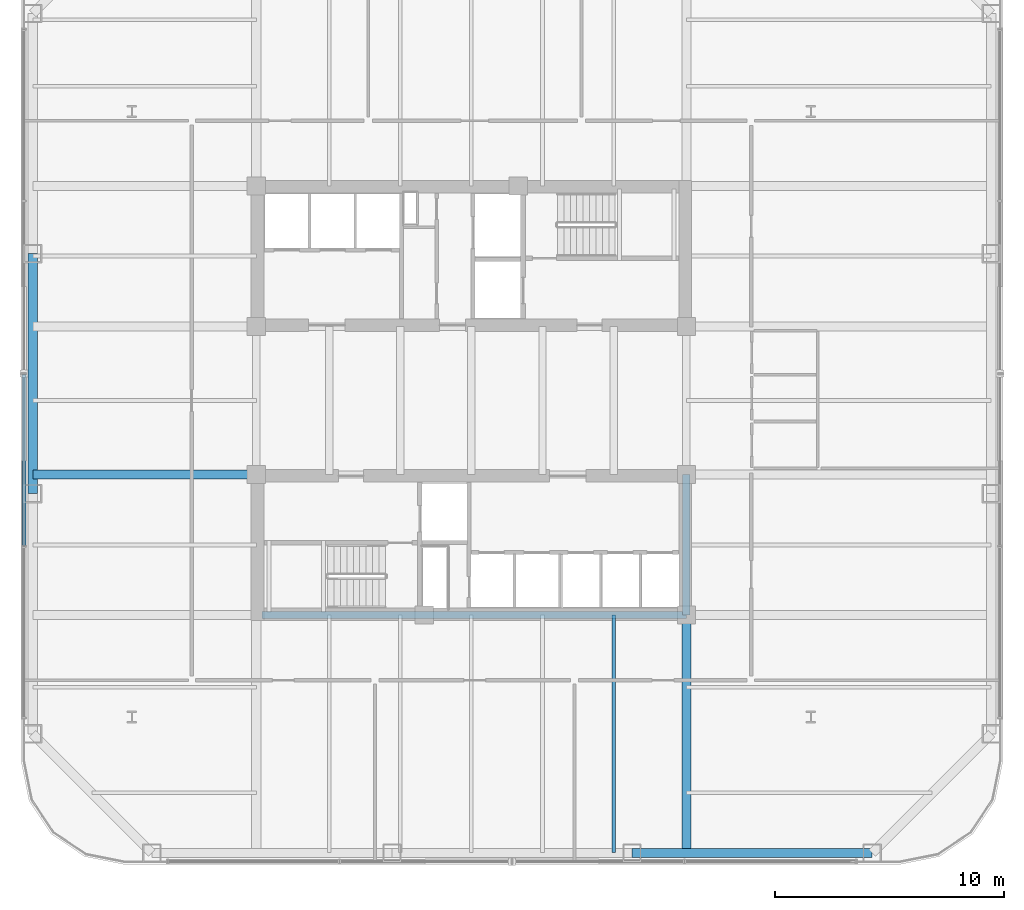
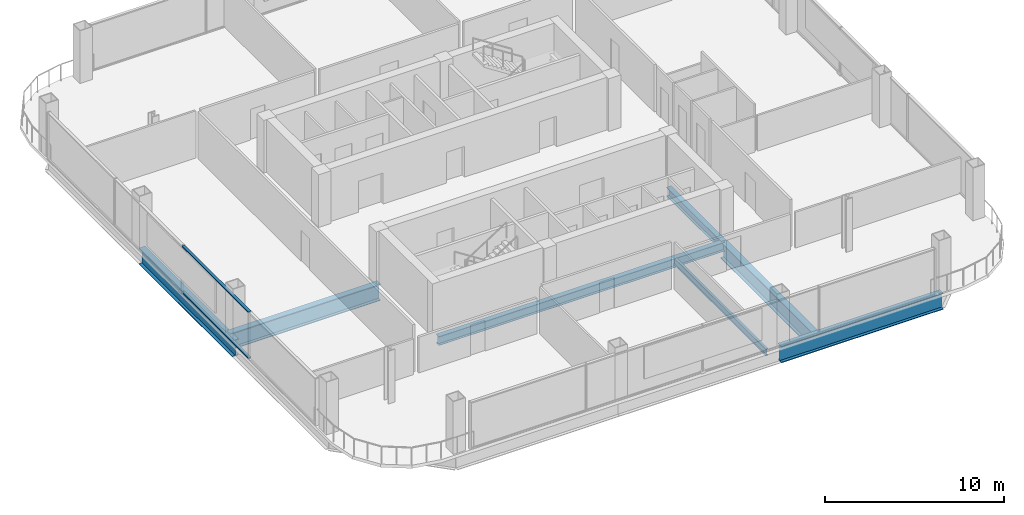
# One storey, part 6 of 24: 7 beams, 2 members, 1 element without a shape of its own.
"""IFC4 building model written with IfcOpenShell, lengths in metres."""

from ifc_helpers import new_model, si_unit, direction, frame, origin, origin_2d, place, context, subcontext, project, spatial, hollow_rectangle, i_section, extrude, material, layer, layer_set, material_profile, profile_set, type_object, element, aggregate, save


model = new_model("IFC4")

# Units and contexts
model_context = context("Model", 3, precision=1e-05, world=origin(), true_north=direction((0.0, 1.0)))
body_context = subcontext(model_context, "Body", "Model", "MODEL_VIEW")
ifc_project = project(units=[si_unit("LENGTHUNIT", "METRE"), si_unit("AREAUNIT", "SQUARE_METRE"), si_unit("VOLUMEUNIT", "CUBIC_METRE"), si_unit("PLANEANGLEUNIT", "RADIAN"), si_unit("MASSUNIT", "GRAM", prefix="KILO")], contexts=[model_context])

# Site, building, storey
site_placement = place(None, origin())
site = spatial("IfcSite", under=ifc_project, at=site_placement, CompositionType="ELEMENT")
building_placement = place(site_placement, origin())
building = spatial("IfcBuilding", under=site, at=building_placement, Name="Qhalaya Broadcast Tower", CompositionType="ELEMENT")
storey_placement = place(building_placement, frame((0.0, 0.0, 61.5)))
storey = spatial("IfcBuildingStorey", under=building, at=storey_placement, Name="L17", CompositionType="ELEMENT", Elevation=61.5)

# Beams
ifc_material_1 = material(Name="Structural Steel ASTM A992 Grade 50", Category="steel")
ifc_material_profile_1 = material_profile(ifc_material_1, i_section(OverallWidth=0.154052734375, OverallDepth=0.458984375, WebThickness=0.009033203125, FlangeThickness=0.015380859375, at=origin_2d()), Name="W18X46")
ifc_profile_set_1 = profile_set([ifc_material_profile_1], Name="Structural Steel ASTM A992 Grade 50")
beam_type_1 = type_object("IfcBeamType", Name="Composite Floor Joist J04", PredefinedType="JOIST", material=ifc_profile_set_1)
beam_1_placement = place(storey_placement, frame((6.199951171875, -19.110107421875, -0.449462890625), z_axis=(0.0, 1.0, 0.0), x_axis=(-1.0, 0.0, 0.0)))
element("IfcBeam", 1, at=beam_1_placement, inside=storey, type_object=beam_type_1, Name="L17 J04 L17-JNS5-1", PredefinedType="JOIST", context=body_context, shape_type="SweptSolid", body=[
    extrude(i_section(OverallWidth=0.154052734375, OverallDepth=0.458984375, WebThickness=0.009033203125, FlangeThickness=0.015380859375, at=origin_2d()), origin(), (0.0, 0.0, 1.0), 10.360107421875),
])
ifc_material_profile_2 = material_profile(ifc_material_1, i_section(OverallWidth=0.323974609375, OverallDepth=0.612060546875, WebThickness=0.0126953125, FlangeThickness=0.01904296875, at=origin_2d()), Name="W24X104")
ifc_profile_set_2 = profile_set([ifc_material_profile_2], Name="Structural Steel ASTM A992 Grade 50")
beam_type_2 = type_object("IfcBeamType", Name="Core Frame Tie Beam B04", PredefinedType="BEAM", material=ifc_profile_set_2)
beam_2_placement = place(storey_placement, frame((9.375, -8.75, -0.52587890625), z_axis=(0.0, 1.0, 0.0), x_axis=(-1.0, 0.0, 0.0)))
element("IfcBeam", 2, at=beam_2_placement, inside=storey, type_object=beam_type_2, Name="L17 B04 L17-CCS2", PredefinedType="BEAM", context=body_context, shape_type="SweptSolid", body=[
    extrude(i_section(OverallWidth=0.323974609375, OverallDepth=0.612060546875, WebThickness=0.0126953125, FlangeThickness=0.01904296875, at=origin_2d()), origin(), (0.0, 0.0, 1.0), 6.125),
])
beam_3_placement = place(storey_placement, frame((-9.1201171875, -8.75, -0.52587890625), z_axis=(1.0, 0.0, 0.0), x_axis=(0.0, 1.0, 0.0)))
element("IfcBeam", 3, at=beam_3_placement, inside=storey, type_object=beam_type_2, Name="L17 B04 L17-CCS3", PredefinedType="BEAM", context=body_context, shape_type="SweptSolid", body=[
    extrude(i_section(OverallWidth=0.323974609375, OverallDepth=0.612060546875, WebThickness=0.0126953125, FlangeThickness=0.01904296875, at=origin_2d()), origin(), (0.0, 0.0, 1.0), 18.4951171875),
])
ifc_material_profile_3 = material_profile(ifc_material_1, i_section(OverallWidth=0.404052734375, OverallDepth=1.117919921875, WebThickness=0.026123046875, FlangeThickness=0.044921875, at=origin_2d()), Name="W44X335")
ifc_profile_set_3 = profile_set([ifc_material_profile_3], Name="Structural Steel ASTM A992 Grade 50")
beam_type_3 = type_object("IfcBeamType", Name="Podium Long-Span Primary Girder PG1", PredefinedType="USERDEFINED", material=ifc_profile_set_3)
beam_4_placement = place(storey_placement, frame((7.00341796875, -19.1298828125, -0.779052734375), z_axis=(1.0, 0.0, 0.0), x_axis=(0.0, 1.0, 0.0)))
element("IfcBeam", 4, at=beam_4_placement, inside=storey, type_object=beam_type_3, Name="L17 PG1 L17-SPR-03", ObjectType="GIRDER", PredefinedType="USERDEFINED", context=body_context, shape_type="SweptSolid", body=[
    extrude(i_section(OverallWidth=0.404052734375, OverallDepth=1.117919921875, WebThickness=0.026123046875, FlangeThickness=0.044921875, at=origin_2d()), origin(), (0.0, 0.0, 1.0), 10.466552734375),
])
beam_5_placement = place(storey_placement, frame((-19.1298828125, 7.00341796875, -0.779052734375), z_axis=(0.0, -1.0, 0.0), x_axis=(1.0, 0.0, 0.0)))
element("IfcBeam", 5, at=beam_5_placement, inside=storey, type_object=beam_type_3, Name="L17 PG1 L17-SPR-14", ObjectType="GIRDER", PredefinedType="USERDEFINED", context=body_context, shape_type="SweptSolid", body=[
    extrude(i_section(OverallWidth=0.404052734375, OverallDepth=1.117919921875, WebThickness=0.026123046875, FlangeThickness=0.044921875, at=origin_2d()), origin(), (0.0, 0.0, 1.0), 10.466796875),
])
beam_6_placement = place(storey_placement, frame((9.375, -19.110107421875, -0.779052734375), z_axis=(0.0, 1.0, 0.0), x_axis=(-1.0, 0.0, 0.0)))
element("IfcBeam", 6, at=beam_6_placement, inside=storey, type_object=beam_type_3, Name="L17 PG1 L17-PGXS2-1", ObjectType="GIRDER", PredefinedType="USERDEFINED", context=body_context, shape_type="SweptSolid", body=[
    extrude(i_section(OverallWidth=0.404052734375, OverallDepth=1.117919921875, WebThickness=0.026123046875, FlangeThickness=0.044921875, at=origin_2d()), origin(), (0.0, 0.0, 1.0), 10.360107421875),
])
beam_7_placement = place(storey_placement, frame((-19.110107421875, -2.625, -0.779052734375), z_axis=(1.0, 0.0, 0.0), x_axis=(0.0, 1.0, 0.0)))
element("IfcBeam", 7, at=beam_7_placement, inside=storey, type_object=beam_type_3, Name="L17 PG1 L17-PGYW2-1", ObjectType="GIRDER", PredefinedType="USERDEFINED", context=body_context, shape_type="SweptSolid", body=[
    extrude(i_section(OverallWidth=0.404052734375, OverallDepth=1.117919921875, WebThickness=0.026123046875, FlangeThickness=0.044921875, at=origin_2d()), origin(), (0.0, 0.0, 1.0), 9.735107421875),
])

# Curtain wall, members
ifc_material_2 = material(Name="Solar-Control Low-E Triple Glazing", Category="glass")
ifc_layer = layer(ifc_material_2, 0.219970703125, Name="Solar-Control Low-E Triple Glazing")
ifc_layer_set = layer_set([ifc_layer], Name="Solar-Control Low-E Triple Glazing")
curtain_wall_type = type_object("IfcCurtainWallType", Name="Recessed Sky-Garden Neck Ribbon Curtain Wall CW-05", PredefinedType="NOTDEFINED", material=ifc_layer_set)
curtain_wall_placement = place(storey_placement, origin())
curtain_wall = element("IfcCurtainWall", 8, at=curtain_wall_placement, inside=storey, type_object=curtain_wall_type, Name="L17 Unitised Curtain Wall L17-CW-W", PredefinedType="NOTDEFINED")
ifc_material_3 = material(Name="Anodised Aluminium 6063-T6", Category="aluminium")
ifc_material_profile_4 = material_profile(ifc_material_3, hollow_rectangle(XDim=0.074951171875, YDim=0.179931640625, WallThickness=0.00390625, at=origin_2d()), Name="ALU-TRN 75x180x4")
ifc_profile_set_4 = profile_set([ifc_material_profile_4], Name="Anodised Aluminium 6063-T6")
member_type = type_object("IfcMemberType", Name="Unitised Curtain-Wall Transom T01", PredefinedType="USERDEFINED", material=ifc_profile_set_4)
member_1_placement = place(storey_placement, frame((-19.510009765625, 1.732421875, 0.03759765625), z_axis=(0.0, -1.0, 0.0), x_axis=(0.0, 0.0, 1.0)))
member_1 = element("IfcMember", 9, at=member_1_placement, type_object=member_type, Name="CW-05 transom 3.1", ObjectType="TRANSOM", PredefinedType="USERDEFINED", context=body_context, shape_type="SweptSolid", body=[
    extrude(hollow_rectangle(XDim=0.074951171875, YDim=0.179931640625, WallThickness=0.00390625, at=origin_2d()), origin(), (0.0, 0.0, 1.0), 7.449951171875),
])
member_2_placement = place(storey_placement, frame((-19.510009765625, 1.732421875, 3.1826171875), z_axis=(0.0, -1.0, 0.0), x_axis=(0.0, 0.0, 1.0)))
member_2 = element("IfcMember", 10, at=member_2_placement, type_object=member_type, Name="CW-05 transom 3.2", ObjectType="TRANSOM", PredefinedType="USERDEFINED", context=body_context, shape_type="SweptSolid", body=[
    extrude(hollow_rectangle(XDim=0.074951171875, YDim=0.179931640625, WallThickness=0.00390625, at=origin_2d()), origin(), (0.0, 0.0, 1.0), 7.449951171875),
])
aggregate(curtain_wall, [member_1, member_2])

save(model, "model.ifc")
